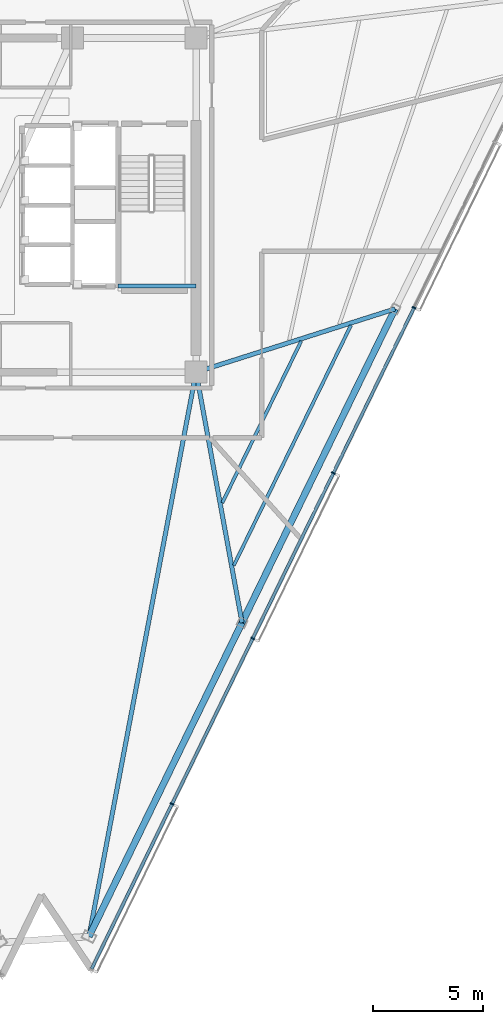
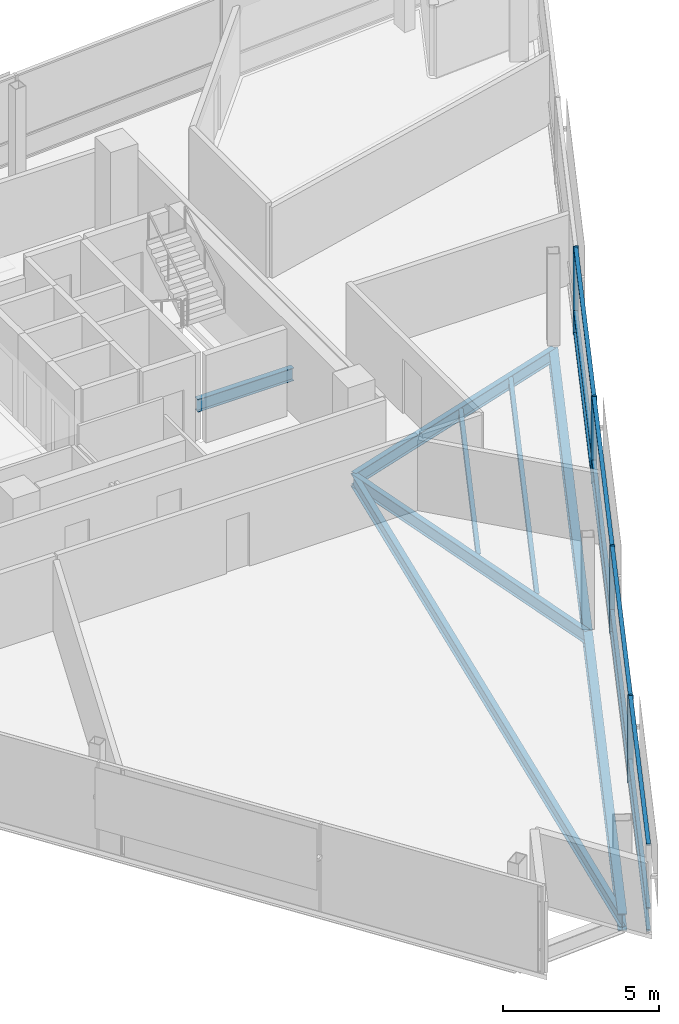
# One storey, part 4 of 16: 16 members, 8 beams, 1 element without a shape of its own.
"""IFC4 building model written with IfcOpenShell, lengths in metres."""

from ifc_helpers import new_model, si_unit, direction, frame, origin, origin_2d, place, context, subcontext, project, spatial, rectangle, i_section, extrude, material, layer, layer_set, material_profile, profile_set, type_object, element, aggregate, save


model = new_model("IFC4")

# Units and contexts
model_context = context("Model", 3, precision=1e-05, world=origin(), true_north=direction((0.0, 1.0)))
body_context = subcontext(model_context, "Body", "Model", "MODEL_VIEW")
ifc_project = project(units=[si_unit("LENGTHUNIT", "METRE"), si_unit("AREAUNIT", "SQUARE_METRE"), si_unit("VOLUMEUNIT", "CUBIC_METRE"), si_unit("PLANEANGLEUNIT", "RADIAN"), si_unit("MASSUNIT", "GRAM", prefix="KILO")], contexts=[model_context])

# Site, building, storey
site_placement = place(None, origin())
site = spatial("IfcSite", under=ifc_project, at=site_placement, CompositionType="ELEMENT")
building_placement = place(site_placement, origin())
building = spatial("IfcBuilding", under=site, at=building_placement, Name="Tharavind Bronze Gate", CompositionType="ELEMENT")
storey_placement = place(building_placement, frame((0.0, 0.0, 257.0)))
storey = spatial("IfcBuildingStorey", under=building, at=storey_placement, Name="L66", CompositionType="ELEMENT", Elevation=257.0)

# Curtain wall, members
ifc_material_1 = material(Name="Anodised Bronze Aluminium", Category="aluminium")
ifc_layer = layer(ifc_material_1, 0.219970703125)
ifc_layer_set = layer_set([ifc_layer], Name="Anodised Bronze Aluminium")
curtain_wall_type = type_object("IfcCurtainWallType", Name="UNITISED CURTAIN WALL UPPER OFFICE", PredefinedType="USERDEFINED", material=ifc_layer_set)
curtain_wall_placement = place(storey_placement, origin())
curtain_wall = element("IfcCurtainWall", 1, at=curtain_wall_placement, inside=storey, type_object=curtain_wall_type, Name="L66 unitised curtain wall upper office CW-L66-S2", ObjectType="UNITISED CURTAIN WALL", PredefinedType="USERDEFINED")
member_type_1 = type_object("IfcMemberType", Name="CURTAIN WALL BRONZE MULLION 65X180", PredefinedType="MULLION", material=ifc_material_1)
member_1_placement = place(storey_placement, frame((7.80419921875, -27.236572265625, 0.0), z_axis=(0.0, 0.0, 1.0), x_axis=(0.43837271548, 0.898793281196, 0.0)))
member_1 = element("IfcMember", 2, at=member_1_placement, type_object=member_type_1, Name="CW-L66-S2 mullion 2", PredefinedType="MULLION", context=body_context, shape_type="SweptSolid", body=[
    extrude(rectangle(XDim=0.06494140625, YDim=0.179931640625, at=origin_2d()), origin(), (0.0, 0.0, 1.0), 3.419921875),
])
member_2_placement = place(storey_placement, frame((11.474365234375, -19.711669921875, 0.0), z_axis=(0.0, 0.0, 1.0), x_axis=(0.43837271548, 0.898793281196, 0.0)))
member_2 = element("IfcMember", 3, at=member_2_placement, type_object=member_type_1, Name="CW-L66-S2 mullion 3", PredefinedType="MULLION", context=body_context, shape_type="SweptSolid", body=[
    extrude(rectangle(XDim=0.06494140625, YDim=0.179931640625, at=origin_2d()), origin(), (0.0, 0.0, 1.0), 3.419921875),
])
member_3_placement = place(storey_placement, frame((15.144775390625, -12.1865234375, 0.0), z_axis=(0.0, 0.0, 1.0), x_axis=(0.43837271548, 0.898793281196, 0.0)))
member_3 = element("IfcMember", 4, at=member_3_placement, type_object=member_type_1, Name="CW-L66-S2 mullion 4", PredefinedType="MULLION", context=body_context, shape_type="SweptSolid", body=[
    extrude(rectangle(XDim=0.06494140625, YDim=0.179931640625, at=origin_2d()), origin(), (0.0, 0.0, 1.0), 3.419921875),
])
member_4_placement = place(storey_placement, frame((18.81494140625, -4.66162109375, 0.0), z_axis=(0.0, 0.0, 1.0), x_axis=(0.43837271548, 0.898793281196, 0.0)))
member_4 = element("IfcMember", 5, at=member_4_placement, type_object=member_type_1, Name="CW-L66-S2 mullion 5", PredefinedType="MULLION", context=body_context, shape_type="SweptSolid", body=[
    extrude(rectangle(XDim=0.06494140625, YDim=0.179931640625, at=origin_2d()), origin(), (0.0, 0.0, 1.0), 3.419921875),
])
member_type_2 = type_object("IfcMemberType", Name="CURTAIN WALL BRONZE TRANSOM 65X140", PredefinedType="USERDEFINED", material=ifc_material_1)
member_5_placement = place(storey_placement, frame((5.968994140625, -30.9990234375, 0.0), z_axis=(0.0, 0.0, 1.0), x_axis=(0.43837271548, 0.898793281196, 0.0)))
member_5 = element("IfcMember", 6, at=member_5_placement, type_object=member_type_2, Name="CW-L66-S2 transom TB1", ObjectType="TRANSOM", PredefinedType="USERDEFINED", context=body_context, shape_type="SweptSolid", body=[
    extrude(rectangle(XDim=8.3193359375, YDim=0.139892578125, at=origin_2d()), origin(), (0.0, 0.0, 1.0), 0.06494140625),
])
member_6_placement = place(storey_placement, frame((5.968994140625, -30.9990234375, 0.867431640625), z_axis=(0.0, 0.0, 1.0), x_axis=(0.43837271548, 0.898793281196, 0.0)))
member_6 = element("IfcMember", 7, at=member_6_placement, type_object=member_type_2, Name="CW-L66-S2 transom TS1", ObjectType="TRANSOM", PredefinedType="USERDEFINED", context=body_context, shape_type="SweptSolid", body=[
    extrude(rectangle(XDim=8.3193359375, YDim=0.139892578125, at=origin_2d()), origin(), (0.0, 0.0, 1.0), 0.06494140625),
])
member_7_placement = place(storey_placement, frame((5.968994140625, -30.9990234375, 3.35498046875), z_axis=(0.0, 0.0, 1.0), x_axis=(0.43837271548, 0.898793281196, 0.0)))
member_7 = element("IfcMember", 8, at=member_7_placement, type_object=member_type_2, Name="CW-L66-S2 transom TT1", ObjectType="TRANSOM", PredefinedType="USERDEFINED", context=body_context, shape_type="SweptSolid", body=[
    extrude(rectangle(XDim=8.3193359375, YDim=0.139892578125, at=origin_2d()), origin(), (0.0, 0.0, 1.0), 0.06494140625),
])
member_8_placement = place(storey_placement, frame((9.639404296875, -23.47412109375, 0.0), z_axis=(0.0, 0.0, 1.0), x_axis=(0.43837271548, 0.898793281196, 0.0)))
member_8 = element("IfcMember", 9, at=member_8_placement, type_object=member_type_2, Name="CW-L66-S2 transom TB2", ObjectType="TRANSOM", PredefinedType="USERDEFINED", context=body_context, shape_type="SweptSolid", body=[
    extrude(rectangle(XDim=8.3193359375, YDim=0.139892578125, at=origin_2d()), origin(), (0.0, 0.0, 1.0), 0.06494140625),
])
member_9_placement = place(storey_placement, frame((9.639404296875, -23.47412109375, 0.867431640625), z_axis=(0.0, 0.0, 1.0), x_axis=(0.43837271548, 0.898793281196, 0.0)))
member_9 = element("IfcMember", 10, at=member_9_placement, type_object=member_type_2, Name="CW-L66-S2 transom TS2", ObjectType="TRANSOM", PredefinedType="USERDEFINED", context=body_context, shape_type="SweptSolid", body=[
    extrude(rectangle(XDim=8.3193359375, YDim=0.139892578125, at=origin_2d()), origin(), (0.0, 0.0, 1.0), 0.06494140625),
])
member_10_placement = place(storey_placement, frame((9.639404296875, -23.47412109375, 3.35498046875), z_axis=(0.0, 0.0, 1.0), x_axis=(0.43837271548, 0.898793281196, 0.0)))
member_10 = element("IfcMember", 11, at=member_10_placement, type_object=member_type_2, Name="CW-L66-S2 transom TT2", ObjectType="TRANSOM", PredefinedType="USERDEFINED", context=body_context, shape_type="SweptSolid", body=[
    extrude(rectangle(XDim=8.3193359375, YDim=0.139892578125, at=origin_2d()), origin(), (0.0, 0.0, 1.0), 0.06494140625),
])
member_11_placement = place(storey_placement, frame((13.3095703125, -15.94921875, 0.0), z_axis=(0.0, 0.0, 1.0), x_axis=(0.43837271548, 0.898793281196, 0.0)))
member_11 = element("IfcMember", 12, at=member_11_placement, type_object=member_type_2, Name="CW-L66-S2 transom TB3", ObjectType="TRANSOM", PredefinedType="USERDEFINED", context=body_context, shape_type="SweptSolid", body=[
    extrude(rectangle(XDim=8.3193359375, YDim=0.139892578125, at=origin_2d()), origin(), (0.0, 0.0, 1.0), 0.06494140625),
])
member_12_placement = place(storey_placement, frame((13.3095703125, -15.94921875, 0.867431640625), z_axis=(0.0, 0.0, 1.0), x_axis=(0.43837271548, 0.898793281196, 0.0)))
member_12 = element("IfcMember", 13, at=member_12_placement, type_object=member_type_2, Name="CW-L66-S2 transom TS3", ObjectType="TRANSOM", PredefinedType="USERDEFINED", context=body_context, shape_type="SweptSolid", body=[
    extrude(rectangle(XDim=8.3193359375, YDim=0.139892578125, at=origin_2d()), origin(), (0.0, 0.0, 1.0), 0.06494140625),
])
member_13_placement = place(storey_placement, frame((13.3095703125, -15.94921875, 3.35498046875), z_axis=(0.0, 0.0, 1.0), x_axis=(0.43837271548, 0.898793281196, 0.0)))
member_13 = element("IfcMember", 14, at=member_13_placement, type_object=member_type_2, Name="CW-L66-S2 transom TT3", ObjectType="TRANSOM", PredefinedType="USERDEFINED", context=body_context, shape_type="SweptSolid", body=[
    extrude(rectangle(XDim=8.3193359375, YDim=0.139892578125, at=origin_2d()), origin(), (0.0, 0.0, 1.0), 0.06494140625),
])
member_14_placement = place(storey_placement, frame((16.979736328125, -8.424072265625, 0.0), z_axis=(0.0, 0.0, 1.0), x_axis=(0.43837271548, 0.898793281196, 0.0)))
member_14 = element("IfcMember", 15, at=member_14_placement, type_object=member_type_2, Name="CW-L66-S2 transom TB4", ObjectType="TRANSOM", PredefinedType="USERDEFINED", context=body_context, shape_type="SweptSolid", body=[
    extrude(rectangle(XDim=8.3193359375, YDim=0.139892578125, at=origin_2d()), origin(), (0.0, 0.0, 1.0), 0.06494140625),
])
member_15_placement = place(storey_placement, frame((16.979736328125, -8.424072265625, 0.867431640625), z_axis=(0.0, 0.0, 1.0), x_axis=(0.43837271548, 0.898793281196, 0.0)))
member_15 = element("IfcMember", 16, at=member_15_placement, type_object=member_type_2, Name="CW-L66-S2 transom TS4", ObjectType="TRANSOM", PredefinedType="USERDEFINED", context=body_context, shape_type="SweptSolid", body=[
    extrude(rectangle(XDim=8.3193359375, YDim=0.139892578125, at=origin_2d()), origin(), (0.0, 0.0, 1.0), 0.06494140625),
])
member_16_placement = place(storey_placement, frame((16.979736328125, -8.424072265625, 3.35498046875), z_axis=(0.0, 0.0, 1.0), x_axis=(0.43837271548, 0.898793281196, 0.0)))
member_16 = element("IfcMember", 17, at=member_16_placement, type_object=member_type_2, Name="CW-L66-S2 transom TT4", ObjectType="TRANSOM", PredefinedType="USERDEFINED", context=body_context, shape_type="SweptSolid", body=[
    extrude(rectangle(XDim=8.3193359375, YDim=0.139892578125, at=origin_2d()), origin(), (0.0, 0.0, 1.0), 0.06494140625),
])
aggregate(curtain_wall, [member_1, member_2, member_3, member_4, member_5, member_6, member_7, member_8, member_9, member_10, member_11, member_12, member_13, member_14, member_15, member_16])

# Beams
ifc_material_2 = material(Name="Steel S355", Category="steel")
ifc_material_profile_1 = material_profile(ifc_material_2, i_section(OverallWidth=0.300048828125, OverallDepth=0.64990234375, WebThickness=0.01611328125, FlangeThickness=0.031005859375, at=origin_2d()), Name="HE650B")
ifc_profile_set_1 = profile_set([ifc_material_profile_1], Name="Steel S355")
beam_type_1 = type_object("IfcBeamType", Name="PRIMARY GIRDER HE650B", PredefinedType="USERDEFINED", material=ifc_profile_set_1)
for number, where, z_axis, x_axis, name in (
    (18, (4.029296875, -33.26513671875, -0.5048828125), (0.43838485681, 0.898787359346, 0.0), (-0.898787359346, 0.43838485681, 0.0), "L66 primary girder he650b BM-L66-PRG05"),
    (19, (10.990234375, -18.99365234375, -0.5048828125), (0.438366378116, 0.898796372121, 0.0), (-0.898796372121, 0.438366378116, 0.0), "L66 primary girder he650b BM-L66-PRG06"),
):
    element("IfcBeam", number, at=place(storey_placement, frame(where, z_axis=z_axis, x_axis=x_axis)), inside=storey, type_object=beam_type_1, Name=name, ObjectType="GIRDER", PredefinedType="USERDEFINED", context=body_context, shape_type="SweptSolid", body=[
        extrude(i_section(OverallWidth=0.300048828125, OverallDepth=0.64990234375, WebThickness=0.01611328125, FlangeThickness=0.031005859375, at=origin_2d()), origin(), (0.0, 0.0, 1.0), 15.878662109375),
    ])
ifc_material_profile_2 = material_profile(ifc_material_2, i_section(OverallWidth=0.199951171875, OverallDepth=0.5, WebThickness=0.01025390625, FlangeThickness=0.01611328125, at=origin_2d()), Name="IPE500")
ifc_profile_set_2 = profile_set([ifc_material_profile_2], Name="Steel S355")
beam_type_2 = type_object("IfcBeamType", Name="PRIMARY GIRDER IPE500", PredefinedType="USERDEFINED", material=ifc_profile_set_2)
beam_1_placement = place(storey_placement, frame((5.35009765625, -3.679931640625, 1.35009765625), z_axis=(1.0, 0.0, 0.0), x_axis=(0.0, 1.0, 0.0)))
element("IfcBeam", 20, at=beam_1_placement, inside=storey, type_object=beam_type_2, Name="L66 primary girder ipe500 BM-LD-ST2-L66-1", ObjectType="GIRDER", PredefinedType="USERDEFINED", context=body_context, shape_type="SweptSolid", body=[
    extrude(i_section(OverallWidth=0.199951171875, OverallDepth=0.5, WebThickness=0.01025390625, FlangeThickness=0.01611328125, at=origin_2d()), origin(), (0.0, 0.0, 1.0), 3.5498046875),
])
beam_2_placement = place(storey_placement, frame((4.029296875, -33.26513671875, -0.429931640625), z_axis=(0.186448126873, 0.982464806487, 0.0), x_axis=(-0.982464806487, 0.186448126873, 0.0)))
element("IfcBeam", 21, at=beam_2_placement, inside=storey, type_object=beam_type_2, Name="L66 primary girder ipe500 BM-L66-RAD05", ObjectType="GIRDER", PredefinedType="USERDEFINED", context=body_context, shape_type="SweptSolid", body=[
    extrude(i_section(OverallWidth=0.199951171875, OverallDepth=0.5, WebThickness=0.01025390625, FlangeThickness=0.01611328125, at=origin_2d()), origin(), (0.0, 0.0, 1.0), 26.123046875),
])
beam_3_placement = place(storey_placement, frame((10.990234375, -18.99365234375, -0.429931640625), z_axis=(-0.180454290484, 0.98358337168, 0.0), x_axis=(-0.98358337168, -0.180454290484, 0.0)))
element("IfcBeam", 22, at=beam_3_placement, inside=storey, type_object=beam_type_2, Name="L66 primary girder ipe500 BM-L66-RAD06", ObjectType="GIRDER", PredefinedType="USERDEFINED", context=body_context, shape_type="SweptSolid", body=[
    extrude(i_section(OverallWidth=0.199951171875, OverallDepth=0.5, WebThickness=0.01025390625, FlangeThickness=0.01611328125, at=origin_2d()), origin(), (0.0, 0.0, 1.0), 11.583740234375),
])
beam_4_placement = place(storey_placement, frame((17.950927734375, -4.721923828125, -0.429931640625), z_axis=(-0.952977418186, -0.303041318021, 0.0), x_axis=(0.303041318021, -0.952977418186, 0.0)))
element("IfcBeam", 23, at=beam_4_placement, inside=storey, type_object=beam_type_2, Name="L66 primary girder ipe500 BM-L66-RAD07", ObjectType="GIRDER", PredefinedType="USERDEFINED", context=body_context, shape_type="SweptSolid", body=[
    extrude(i_section(OverallWidth=0.199951171875, OverallDepth=0.5, WebThickness=0.01025390625, FlangeThickness=0.01611328125, at=origin_2d()), origin(), (0.0, 0.0, 1.0), 9.49755859375),
])
ifc_material_profile_3 = material_profile(ifc_material_2, i_section(OverallWidth=0.14990234375, OverallDepth=0.300048828125, WebThickness=0.007080078125, FlangeThickness=0.0107421875, at=origin_2d()), Name="IPE300")
ifc_profile_set_3 = profile_set([ifc_material_profile_3], Name="Steel S355")
beam_type_3 = type_object("IfcBeamType", Name="SECONDARY FLOOR JOIST IPE300", PredefinedType="JOIST", material=ifc_profile_set_3)
beam_5_placement = place(storey_placement, frame((10.093994140625, -13.54052734375, -0.330078125), z_axis=(0.438357774769, 0.898800568146, 0.0), x_axis=(-0.898800568146, 0.438357774769, 0.0)))
element("IfcBeam", 24, at=beam_5_placement, inside=storey, type_object=beam_type_3, Name="L66 secondary floor joist ipe300 BM-L66-JSTA06", PredefinedType="JOIST", context=body_context, shape_type="SweptSolid", body=[
    extrude(i_section(OverallWidth=0.14990234375, OverallDepth=0.300048828125, WebThickness=0.007080078125, FlangeThickness=0.0107421875, at=origin_2d()), origin(), (0.0, 0.0, 1.0), 8.180419921875),
])
beam_6_placement = place(storey_placement, frame((10.616455078125, -16.388916015625, -0.330078125), z_axis=(0.438366623032, 0.898796252669, 0.0), x_axis=(-0.898796252669, 0.438366623032, 0.0)))
element("IfcBeam", 25, at=beam_6_placement, inside=storey, type_object=beam_type_3, Name="L66 secondary floor joist ipe300 BM-L66-JSTB06", PredefinedType="JOIST", context=body_context, shape_type="SweptSolid", body=[
    extrude(i_section(OverallWidth=0.14990234375, OverallDepth=0.300048828125, WebThickness=0.007080078125, FlangeThickness=0.0107421875, at=origin_2d()), origin(), (0.0, 0.0, 1.0), 12.150146484375),
])

save(model, "model.ifc")
